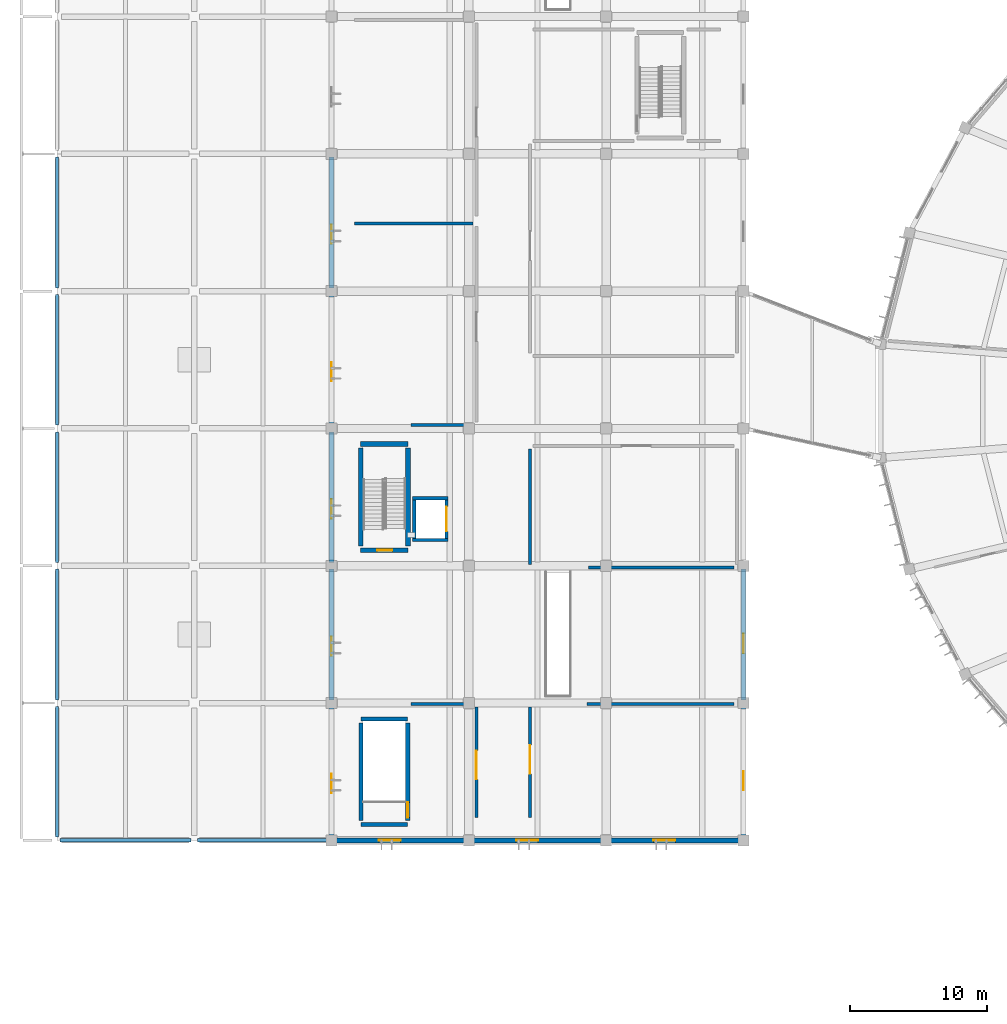
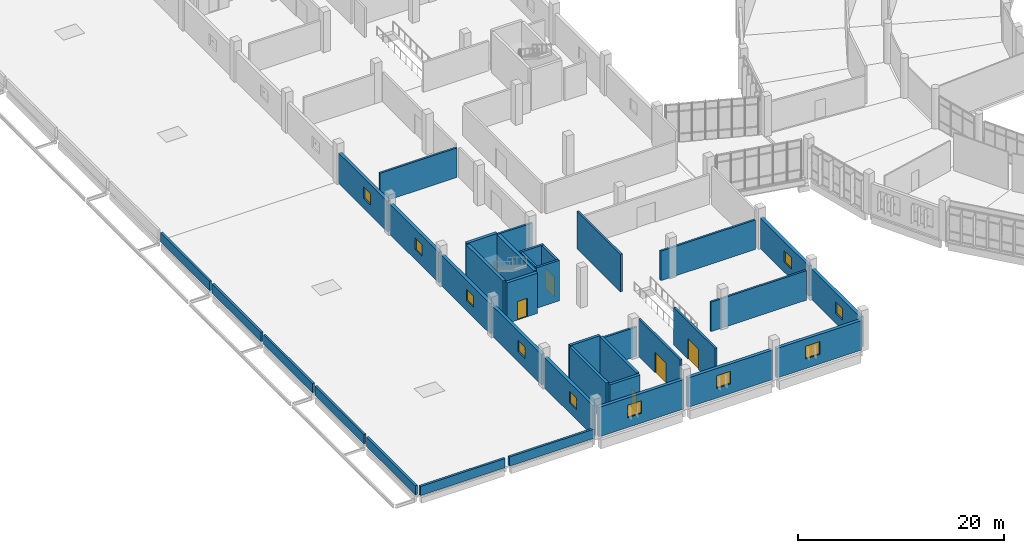
# One storey, part 114 of 179: 37 walls, 10 windows, 5 doors, 15 openings.
"""IFC4 building model written with IfcOpenShell, lengths in metres."""

from ifc_helpers import new_model, si_unit, direction, frame, frame_2d, origin, place, context, subcontext, project, spatial, rectangle, extrude, material, layer, layer_set, type_object, element, fill, save


model = new_model("IFC4")

# Units and contexts
model_context = context("Model", 3, precision=1e-05, world=origin(), true_north=direction((0.0, 1.0)))
body_context = subcontext(model_context, "Body", "Model", "MODEL_VIEW")
ifc_project = project(units=[si_unit("LENGTHUNIT", "METRE"), si_unit("AREAUNIT", "SQUARE_METRE"), si_unit("VOLUMEUNIT", "CUBIC_METRE"), si_unit("PLANEANGLEUNIT", "RADIAN"), si_unit("MASSUNIT", "GRAM", prefix="KILO")], contexts=[model_context])

# Site, building, storey
site_placement = place(None, origin())
site = spatial("IfcSite", under=ifc_project, at=site_placement, CompositionType="ELEMENT")
building_placement = place(site_placement, origin())
building = spatial("IfcBuilding", under=site, at=building_placement, Name="Corvandel Quay Wholesale Market", CompositionType="ELEMENT")
storey_placement = place(building_placement, frame((0.0, 0.0, 6.0)))
storey = spatial("IfcBuildingStorey", under=building, at=storey_placement, Name="L01", CompositionType="ELEMENT", Elevation=6.0)

# Wall, opening, door
ifc_material_1 = material(Name="Concrete C40/50", Category="concrete")
ifc_layer_1 = layer(ifc_material_1, 0.35009765625)
ifc_layer_set_1 = layer_set([ifc_layer_1], Name="Concrete C40/50")
wall_type_1 = type_object("IfcWallType", Name="Core Shear Wall SW01 350", PredefinedType="SHEAR", material=ifc_layer_set_1)
wall_1_placement = place(storey_placement, frame((22.125, 31.125, 0.0), z_axis=(0.0, 0.0, 1.0), x_axis=(1.0, 0.0, 0.0)))
wall_1 = element("IfcWall", 1, at=wall_1_placement, inside=storey, type_object=wall_type_1, Name="Shear Wall IW-0113", PredefinedType="SHEAR", context=body_context, shape_type="SweptSolid", body=[
    extrude(rectangle(XDim=3.449951171875, YDim=0.35009765625, at=frame_2d((1.72509765625, 0.0))), origin(), (0.0, 0.0, 1.0), 4.800048828125),
])
opening_1_placement = place(wall_1_placement, frame((1.199951171875, 0.0, 0.0)))
opening_1 = element("IfcOpeningElement", 2, at=opening_1_placement, cuts=wall_1, Name="Opening L01-D012", PredefinedType="OPENING", context=body_context, shape_type="SweptSolid", body=[
    extrude(rectangle(XDim=1.10009765625, YDim=2.199951171875, at=frame_2d((0.550048828125, 1.10009765625))), frame((0.0, 0.18505859375, 0.0), z_axis=(0.0, -1.0, 0.0), x_axis=(1.0, 0.0, 0.0)), (0.0, 0.0, 1.0), 0.3701171875),
])
ifc_material_2 = material(Name="Galvanised fire-rated hollow steel", Category="steel")
door_type_1 = type_object("IfcDoorType", Name="Exit Stair Fire Door ID01 1100x2200L", OperationType="SINGLE_SWING_LEFT", PredefinedType="DOOR", material=ifc_material_2)
door_1_placement = place(opening_1_placement, origin())
door_1 = element("IfcDoor", 3, at=door_1_placement, inside=storey, type_object=door_type_1, Name="Exit Stair Door SH11-L01", OperationType="SINGLE_SWING_LEFT", OverallHeight=2.199951171875, OverallWidth=1.10009765625, PredefinedType="DOOR", context=body_context, shape_type="SweptSolid", body=[
    extrude(rectangle(XDim=1.10009765625, YDim=2.199951171875, at=frame_2d((0.550048828125, 1.10009765625))), frame((0.0, 0.02490234375, 0.0), z_axis=(0.0, -1.0, 0.0), x_axis=(1.0, 0.0, 0.0)), (0.0, 0.0, 1.0), 0.050048828125),
])
fill(opening_1, door_1)

# Walls
wall_2_placement = place(storey_placement, frame((22.125, 38.875, 0.0), z_axis=(0.0, 0.0, 1.0), x_axis=(1.0, 0.0, 0.0)))
element("IfcWall", 4, at=wall_2_placement, inside=storey, type_object=wall_type_1, Name="Shear Wall IW-0114", PredefinedType="SHEAR", context=body_context, shape_type="SweptSolid", body=[
    extrude(rectangle(XDim=3.449951171875, YDim=0.35009765625, at=frame_2d((1.72509765625, 0.0))), origin(), (0.0, 0.0, 1.0), 4.800048828125),
])
for number, where, z_axis, x_axis, name in (
    (5, (22.125, 31.43994140625, 0.0), (0.0, 0.0, 1.0), (0.0, 1.0, 0.0), "Shear Wall IW-0115"),
    (6, (25.574951171875, 31.43994140625, 0.0), (0.0, 0.0, 1.0), (0.0, 1.0, 0.0), "Shear Wall IW-0116"),
):
    element("IfcWall", number, at=place(storey_placement, frame(where, z_axis=z_axis, x_axis=x_axis)), inside=storey, type_object=wall_type_1, Name=name, PredefinedType="SHEAR", context=body_context, shape_type="SweptSolid", body=[
        extrude(rectangle(XDim=7.1201171875, YDim=0.35009765625, at=frame_2d((3.56005859375, 0.0))), origin(), (0.0, 0.0, 1.0), 4.800048828125),
    ])
ifc_layer_2 = layer(ifc_material_1, 0.25)
ifc_layer_set_2 = layer_set([ifc_layer_2], Name="Concrete C40/50")
wall_type_2 = type_object("IfcWallType", Name="Lift Shaft Shear Wall SW03 250", PredefinedType="SHEAR", material=ifc_layer_set_2)
for number, where, z_axis, x_axis, name in (
    (7, (25.89990234375, 31.875, 0.0), (0.0, 0.0, 1.0), (1.0, 0.0, 0.0), "Shear Wall IW-0301"),
    (8, (25.89990234375, 34.925048828125, 0.0), (0.0, 0.0, 1.0), (1.0, 0.0, 0.0), "Shear Wall IW-0302"),
):
    element("IfcWall", number, at=place(storey_placement, frame(where, z_axis=z_axis, x_axis=x_axis)), inside=storey, type_object=wall_type_2, Name=name, PredefinedType="SHEAR", context=body_context, shape_type="SweptSolid", body=[
        extrude(rectangle(XDim=2.60009765625, YDim=0.25, at=frame_2d((1.300048828125, 0.0))), origin(), (0.0, 0.0, 1.0), 4.800048828125),
    ])
wall_3_placement = place(storey_placement, frame((26.02490234375, 31.989990234375, 0.0), z_axis=(0.0, 0.0, 1.0), x_axis=(0.0, 1.0, 0.0)))
element("IfcWall", 9, at=wall_3_placement, inside=storey, type_object=wall_type_2, Name="Shear Wall IW-0303", PredefinedType="SHEAR", context=body_context, shape_type="SweptSolid", body=[
    extrude(rectangle(XDim=2.820068359375, YDim=0.25, at=frame_2d((1.41015625, 0.0))), origin(), (0.0, 0.0, 1.0), 4.800048828125),
])

# Wall, opening, door
wall_4_placement = place(storey_placement, frame((28.375, 31.989990234375, 0.0), z_axis=(0.0, 0.0, 1.0), x_axis=(0.0, 1.0, 0.0)))
wall_4 = element("IfcWall", 10, at=wall_4_placement, inside=storey, type_object=wall_type_2, Name="Shear Wall IW-0304", PredefinedType="SHEAR", context=body_context, shape_type="SweptSolid", body=[
    extrude(rectangle(XDim=2.820068359375, YDim=0.25, at=frame_2d((1.41015625, 0.0))), origin(), (0.0, 0.0, 1.0), 4.800048828125),
])
opening_2_placement = place(wall_4_placement, frame((0.510009765625, 0.0, 0.0)))
opening_2 = element("IfcOpeningElement", 11, at=opening_2_placement, cuts=wall_4, Name="Opening LD-L01-027", PredefinedType="OPENING", context=body_context, shape_type="SweptSolid", body=[
    extrude(rectangle(XDim=1.800048828125, YDim=2.39990234375, at=frame_2d((0.89990234375, 1.199951171875))), frame((0.0, 0.135009765625, 0.0), z_axis=(0.0, -1.0, 0.0), x_axis=(1.0, 0.0, 0.0)), (0.0, 0.0, 1.0), 0.27001953125),
])
ifc_material_3 = material(Name="Heavy-duty brushed stainless steel", Category="steel")
door_type_2 = type_object("IfcDoorType", Name="Goods Lift Landing Door LD02 1800x2400", OperationType="DOUBLE_DOOR_SLIDING", PredefinedType="DOOR", material=ifc_material_3)
door_2_placement = place(opening_2_placement, origin())
door_2 = element("IfcDoor", 12, at=door_2_placement, inside=storey, type_object=door_type_2, Name="Lift Landing Door LF-V4F1-L01", OperationType="DOUBLE_DOOR_SLIDING", OverallHeight=2.39990234375, OverallWidth=1.800048828125, PredefinedType="DOOR", context=body_context, shape_type="SweptSolid", body=[
    extrude(rectangle(XDim=1.800048828125, YDim=2.39990234375, at=frame_2d((0.89990234375, 1.199951171875))), frame((0.0, 0.02490234375, 0.0), z_axis=(0.0, -1.0, 0.0), x_axis=(1.0, 0.0, 0.0)), (0.0, 0.0, 1.0), 0.050048828125),
])
fill(opening_2, door_2)

# Wall, opening, window
ifc_material_4 = material(Name="Insulated precast concrete C45/55", Category="concrete")
ifc_layer_3 = layer(ifc_material_4, 0.360107421875)
ifc_layer_set_3 = layer_set([ifc_layer_3], Name="Insulated precast concrete C45/55")
wall_type_3 = type_object("IfcWallType", Name="Ripening Gas-Tight Envelope Wall EW04 360", PredefinedType="SOLIDWALL", material=ifc_layer_set_3)
wall_5_placement = place(storey_placement, frame((20.0, 10.239990234375, 0.0), z_axis=(0.0, 0.0, 1.0), x_axis=(0.0, 1.0, 0.0)))
wall_5 = element("IfcWall", 13, at=wall_5_placement, inside=storey, type_object=wall_type_3, Name="Exterior Wall EW-0226", PredefinedType="SOLIDWALL", context=body_context, shape_type="SweptSolid", body=[
    extrude(rectangle(XDim=9.52001953125, YDim=0.360107421875, at=frame_2d((4.760009765625, 0.0))), origin(), (0.0, 0.0, 1.0), 3.610107421875),
])
opening_3_placement = place(wall_5_placement, frame((3.199951171875, 0.0, 1.199951171875)))
opening_3 = element("IfcOpeningElement", 14, at=opening_3_placement, cuts=wall_5, Name="Opening L01-W052", PredefinedType="OPENING", context=body_context, shape_type="SweptSolid", body=[
    extrude(rectangle(XDim=1.39990234375, YDim=1.35009765625, at=frame_2d((0.699951171875, 0.675048828125))), frame((0.0, 0.18994140625, 0.0), z_axis=(0.0, -1.0, 0.0), x_axis=(1.0, 0.0, 0.0)), (0.0, 0.0, 1.0), 0.380126953125),
])
ifc_material_5 = material(Name="Thermally broken bronze anodised aluminium and solar-control low-E double glazing", Category="aluminium")
window_type_1 = type_object("IfcWindowType", Name="Ripening Control Vision Window WN15 1400x1350", PartitioningType="SINGLE_PANEL", PredefinedType="WINDOW", material=ifc_material_5)
window_1_placement = place(opening_3_placement, origin())
window_1 = element("IfcWindow", 15, at=window_1_placement, inside=storey, type_object=window_type_1, Name="Window L01-W052", OverallHeight=1.35009765625, OverallWidth=1.39990234375, PartitioningType="SINGLE_PANEL", PredefinedType="WINDOW", context=body_context, shape_type="SweptSolid", body=[
    extrude(rectangle(XDim=1.39990234375, YDim=1.35009765625, at=frame_2d((0.699951171875, 0.675048828125))), frame((0.0, 0.030029296875, 0.0), z_axis=(0.0, -1.0, 0.0), x_axis=(1.0, 0.0, 0.0)), (0.0, 0.0, 1.0), 0.06005859375),
])
fill(opening_3, window_1)

wall_6_placement = place(storey_placement, frame((50.0, 10.239990234375, 0.0), z_axis=(0.0, 0.0, 1.0), x_axis=(0.0, 1.0, 0.0)))
wall_6 = element("IfcWall", 16, at=wall_6_placement, inside=storey, type_object=wall_type_3, Name="Exterior Wall EW-0230", PredefinedType="SOLIDWALL", context=body_context, shape_type="SweptSolid", body=[
    extrude(rectangle(XDim=9.52001953125, YDim=0.360107421875, at=frame_2d((4.760009765625, 0.0))), origin(), (0.0, 0.0, 1.0), 3.610107421875),
])
opening_4_placement = place(wall_6_placement, frame((3.39990234375, 0.0, 1.199951171875)))
opening_4 = element("IfcOpeningElement", 17, at=opening_4_placement, cuts=wall_6, Name="Opening L01-W053", PredefinedType="OPENING", context=body_context, shape_type="SweptSolid", body=[
    extrude(rectangle(XDim=1.39990234375, YDim=1.35009765625, at=frame_2d((0.699951171875, 0.675048828125))), frame((0.0, 0.18994140625, 0.0), z_axis=(0.0, -1.0, 0.0), x_axis=(1.0, 0.0, 0.0)), (0.0, 0.0, 1.0), 0.380126953125),
])
window_2_placement = place(opening_4_placement, origin())
window_2 = element("IfcWindow", 18, at=window_2_placement, inside=storey, type_object=window_type_1, Name="Window L01-W053", OverallHeight=1.35009765625, OverallWidth=1.39990234375, PartitioningType="SINGLE_PANEL", PredefinedType="WINDOW", context=body_context, shape_type="SweptSolid", body=[
    extrude(rectangle(XDim=1.39990234375, YDim=1.35009765625, at=frame_2d((0.699951171875, 0.675048828125))), frame((0.0, 0.030029296875, 0.0), z_axis=(0.0, -1.0, 0.0), x_axis=(1.0, 0.0, 0.0)), (0.0, 0.0, 1.0), 0.06005859375),
])
fill(opening_4, window_2)

wall_7_placement = place(storey_placement, frame((20.0, 20.239990234375, 0.0), z_axis=(0.0, 0.0, 1.0), x_axis=(0.0, 1.0, 0.0)))
wall_7 = element("IfcWall", 19, at=wall_7_placement, inside=storey, type_object=wall_type_3, Name="Exterior Wall EW-0233", PredefinedType="SOLIDWALL", context=body_context, shape_type="SweptSolid", body=[
    extrude(rectangle(XDim=9.52001953125, YDim=0.360107421875, at=frame_2d((4.760009765625, 0.0))), origin(), (0.0, 0.0, 1.0), 3.610107421875),
])
opening_5_placement = place(wall_7_placement, frame((3.199951171875, 0.0, 1.199951171875)))
opening_5 = element("IfcOpeningElement", 20, at=opening_5_placement, cuts=wall_7, Name="Opening L01-W054", PredefinedType="OPENING", context=body_context, shape_type="SweptSolid", body=[
    extrude(rectangle(XDim=1.39990234375, YDim=1.35009765625, at=frame_2d((0.699951171875, 0.675048828125))), frame((0.0, 0.18994140625, 0.0), z_axis=(0.0, -1.0, 0.0), x_axis=(1.0, 0.0, 0.0)), (0.0, 0.0, 1.0), 0.380126953125),
])
window_3_placement = place(opening_5_placement, origin())
window_3 = element("IfcWindow", 21, at=window_3_placement, inside=storey, type_object=window_type_1, Name="Window L01-W054", OverallHeight=1.35009765625, OverallWidth=1.39990234375, PartitioningType="SINGLE_PANEL", PredefinedType="WINDOW", context=body_context, shape_type="SweptSolid", body=[
    extrude(rectangle(XDim=1.39990234375, YDim=1.35009765625, at=frame_2d((0.699951171875, 0.675048828125))), frame((0.0, 0.030029296875, 0.0), z_axis=(0.0, -1.0, 0.0), x_axis=(1.0, 0.0, 0.0)), (0.0, 0.0, 1.0), 0.06005859375),
])
fill(opening_5, window_3)

wall_8_placement = place(storey_placement, frame((50.0, 20.239990234375, 0.0), z_axis=(0.0, 0.0, 1.0), x_axis=(0.0, 1.0, 0.0)))
wall_8 = element("IfcWall", 22, at=wall_8_placement, inside=storey, type_object=wall_type_3, Name="Exterior Wall EW-0237", PredefinedType="SOLIDWALL", context=body_context, shape_type="SweptSolid", body=[
    extrude(rectangle(XDim=9.52001953125, YDim=0.360107421875, at=frame_2d((4.760009765625, 0.0))), origin(), (0.0, 0.0, 1.0), 3.610107421875),
])
opening_6_placement = place(wall_8_placement, frame((3.39990234375, 0.0, 1.199951171875)))
opening_6 = element("IfcOpeningElement", 23, at=opening_6_placement, cuts=wall_8, Name="Opening L01-W055", PredefinedType="OPENING", context=body_context, shape_type="SweptSolid", body=[
    extrude(rectangle(XDim=1.39990234375, YDim=1.35009765625, at=frame_2d((0.699951171875, 0.675048828125))), frame((0.0, 0.18994140625, 0.0), z_axis=(0.0, -1.0, 0.0), x_axis=(1.0, 0.0, 0.0)), (0.0, 0.0, 1.0), 0.380126953125),
])
window_4_placement = place(opening_6_placement, origin())
window_4 = element("IfcWindow", 24, at=window_4_placement, inside=storey, type_object=window_type_1, Name="Window L01-W055", OverallHeight=1.35009765625, OverallWidth=1.39990234375, PartitioningType="SINGLE_PANEL", PredefinedType="WINDOW", context=body_context, shape_type="SweptSolid", body=[
    extrude(rectangle(XDim=1.39990234375, YDim=1.35009765625, at=frame_2d((0.699951171875, 0.675048828125))), frame((0.0, 0.030029296875, 0.0), z_axis=(0.0, -1.0, 0.0), x_axis=(1.0, 0.0, 0.0)), (0.0, 0.0, 1.0), 0.06005859375),
])
fill(opening_6, window_4)

wall_9_placement = place(storey_placement, frame((20.0, 30.239990234375, 0.0), z_axis=(0.0, 0.0, 1.0), x_axis=(0.0, 1.0, 0.0)))
wall_9 = element("IfcWall", 25, at=wall_9_placement, inside=storey, type_object=wall_type_3, Name="Exterior Wall EW-0240", PredefinedType="SOLIDWALL", context=body_context, shape_type="SweptSolid", body=[
    extrude(rectangle(XDim=9.52001953125, YDim=0.360107421875, at=frame_2d((4.760009765625, 0.0))), origin(), (0.0, 0.0, 1.0), 3.610107421875),
])
opening_7_placement = place(wall_9_placement, frame((3.199951171875, 0.0, 1.199951171875)))
opening_7 = element("IfcOpeningElement", 26, at=opening_7_placement, cuts=wall_9, Name="Opening L01-W056", PredefinedType="OPENING", context=body_context, shape_type="SweptSolid", body=[
    extrude(rectangle(XDim=1.39990234375, YDim=1.35009765625, at=frame_2d((0.699951171875, 0.675048828125))), frame((0.0, 0.18994140625, 0.0), z_axis=(0.0, -1.0, 0.0), x_axis=(1.0, 0.0, 0.0)), (0.0, 0.0, 1.0), 0.380126953125),
])
window_5_placement = place(opening_7_placement, origin())
window_5 = element("IfcWindow", 27, at=window_5_placement, inside=storey, type_object=window_type_1, Name="Window L01-W056", OverallHeight=1.35009765625, OverallWidth=1.39990234375, PartitioningType="SINGLE_PANEL", PredefinedType="WINDOW", context=body_context, shape_type="SweptSolid", body=[
    extrude(rectangle(XDim=1.39990234375, YDim=1.35009765625, at=frame_2d((0.699951171875, 0.675048828125))), frame((0.0, 0.030029296875, 0.0), z_axis=(0.0, -1.0, 0.0), x_axis=(1.0, 0.0, 0.0)), (0.0, 0.0, 1.0), 0.06005859375),
])
fill(opening_7, window_5)

wall_10_placement = place(storey_placement, frame((20.0, 40.239990234375, 0.0), z_axis=(0.0, 0.0, 1.0), x_axis=(0.0, 1.0, 0.0)))
wall_10 = element("IfcWall", 28, at=wall_10_placement, inside=storey, type_object=wall_type_3, Name="Exterior Wall EW-0244", PredefinedType="SOLIDWALL", context=body_context, shape_type="SweptSolid", body=[
    extrude(rectangle(XDim=9.52001953125, YDim=0.360107421875, at=frame_2d((4.760009765625, 0.0))), origin(), (0.0, 0.0, 1.0), 3.610107421875),
])
opening_8_placement = place(wall_10_placement, frame((3.199951171875, 0.0, 1.199951171875)))
opening_8 = element("IfcOpeningElement", 29, at=opening_8_placement, cuts=wall_10, Name="Opening L01-W057", PredefinedType="OPENING", context=body_context, shape_type="SweptSolid", body=[
    extrude(rectangle(XDim=1.39990234375, YDim=1.35009765625, at=frame_2d((0.699951171875, 0.675048828125))), frame((0.0, 0.18994140625, 0.0), z_axis=(0.0, -1.0, 0.0), x_axis=(1.0, 0.0, 0.0)), (0.0, 0.0, 1.0), 0.380126953125),
])
window_6_placement = place(opening_8_placement, origin())
window_6 = element("IfcWindow", 30, at=window_6_placement, inside=storey, type_object=window_type_1, Name="Window L01-W057", OverallHeight=1.35009765625, OverallWidth=1.39990234375, PartitioningType="SINGLE_PANEL", PredefinedType="WINDOW", context=body_context, shape_type="SweptSolid", body=[
    extrude(rectangle(XDim=1.39990234375, YDim=1.35009765625, at=frame_2d((0.699951171875, 0.675048828125))), frame((0.0, 0.030029296875, 0.0), z_axis=(0.0, -1.0, 0.0), x_axis=(1.0, 0.0, 0.0)), (0.0, 0.0, 1.0), 0.06005859375),
])
fill(opening_8, window_6)

wall_11_placement = place(storey_placement, frame((20.0, 50.239990234375, 0.0), z_axis=(0.0, 0.0, 1.0), x_axis=(0.0, 1.0, 0.0)))
wall_11 = element("IfcWall", 31, at=wall_11_placement, inside=storey, type_object=wall_type_3, Name="Exterior Wall EW-0248", PredefinedType="SOLIDWALL", context=body_context, shape_type="SweptSolid", body=[
    extrude(rectangle(XDim=9.52001953125, YDim=0.360107421875, at=frame_2d((4.760009765625, 0.0))), origin(), (0.0, 0.0, 1.0), 3.610107421875),
])
opening_9_placement = place(wall_11_placement, frame((3.199951171875, 0.0, 1.199951171875)))
opening_9 = element("IfcOpeningElement", 32, at=opening_9_placement, cuts=wall_11, Name="Opening L01-W058", PredefinedType="OPENING", context=body_context, shape_type="SweptSolid", body=[
    extrude(rectangle(XDim=1.39990234375, YDim=1.35009765625, at=frame_2d((0.699951171875, 0.675048828125))), frame((0.0, 0.18994140625, 0.0), z_axis=(0.0, -1.0, 0.0), x_axis=(1.0, 0.0, 0.0)), (0.0, 0.0, 1.0), 0.380126953125),
])
window_7_placement = place(opening_9_placement, origin())
window_7 = element("IfcWindow", 33, at=window_7_placement, inside=storey, type_object=window_type_1, Name="Window L01-W058", OverallHeight=1.35009765625, OverallWidth=1.39990234375, PartitioningType="SINGLE_PANEL", PredefinedType="WINDOW", context=body_context, shape_type="SweptSolid", body=[
    extrude(rectangle(XDim=1.39990234375, YDim=1.35009765625, at=frame_2d((0.699951171875, 0.675048828125))), frame((0.0, 0.030029296875, 0.0), z_axis=(0.0, -1.0, 0.0), x_axis=(1.0, 0.0, 0.0)), (0.0, 0.0, 1.0), 0.06005859375),
])
fill(opening_9, window_7)

wall_12_placement = place(storey_placement, frame((20.239990234375, 10.0, 0.0), z_axis=(0.0, 0.0, 1.0), x_axis=(1.0, 0.0, 0.0)))
wall_12 = element("IfcWall", 34, at=wall_12_placement, inside=storey, type_object=wall_type_3, Name="Exterior Wall EW-0307", PredefinedType="SOLIDWALL", context=body_context, shape_type="SweptSolid", body=[
    extrude(rectangle(XDim=9.52001953125, YDim=0.360107421875, at=frame_2d((4.760009765625, 0.0))), origin(), (0.0, 0.0, 1.0), 3.510009765625),
])
opening_10_placement = place(wall_12_placement, frame((3.199951171875, 0.0, 1.14990234375)))
opening_10 = element("IfcOpeningElement", 35, at=opening_10_placement, cuts=wall_12, Name="Opening L01-W076", PredefinedType="OPENING", context=body_context, shape_type="SweptSolid", body=[
    extrude(rectangle(XDim=1.60009765625, YDim=1.5, at=frame_2d((0.800048828125, 0.75))), frame((0.0, 0.18994140625, 0.0), z_axis=(0.0, -1.0, 0.0), x_axis=(1.0, 0.0, 0.0)), (0.0, 0.0, 1.0), 0.380126953125),
])
window_type_2 = type_object("IfcWindowType", Name="Cold Chain Lab Window WN14 1600x1500", PartitioningType="SINGLE_PANEL", PredefinedType="WINDOW", material=ifc_material_5)
window_8_placement = place(opening_10_placement, origin())
window_8 = element("IfcWindow", 36, at=window_8_placement, inside=storey, type_object=window_type_2, Name="Window L01-W076", OverallHeight=1.5, OverallWidth=1.60009765625, PartitioningType="SINGLE_PANEL", PredefinedType="WINDOW", context=body_context, shape_type="SweptSolid", body=[
    extrude(rectangle(XDim=1.60009765625, YDim=1.5, at=frame_2d((0.800048828125, 0.75))), frame((0.0, 0.030029296875, 0.0), z_axis=(0.0, -1.0, 0.0), x_axis=(1.0, 0.0, 0.0)), (0.0, 0.0, 1.0), 0.06005859375),
])
fill(opening_10, window_8)

wall_13_placement = place(storey_placement, frame((30.239990234375, 10.0, 0.0), z_axis=(0.0, 0.0, 1.0), x_axis=(1.0, 0.0, 0.0)))
wall_13 = element("IfcWall", 37, at=wall_13_placement, inside=storey, type_object=wall_type_3, Name="Exterior Wall EW-0315", PredefinedType="SOLIDWALL", context=body_context, shape_type="SweptSolid", body=[
    extrude(rectangle(XDim=9.52001953125, YDim=0.360107421875, at=frame_2d((4.760009765625, 0.0))), origin(), (0.0, 0.0, 1.0), 3.510009765625),
])
opening_11_placement = place(wall_13_placement, frame((3.199951171875, 0.0, 1.14990234375)))
opening_11 = element("IfcOpeningElement", 38, at=opening_11_placement, cuts=wall_13, Name="Opening L01-W078", PredefinedType="OPENING", context=body_context, shape_type="SweptSolid", body=[
    extrude(rectangle(XDim=1.60009765625, YDim=1.5, at=frame_2d((0.800048828125, 0.75))), frame((0.0, 0.18994140625, 0.0), z_axis=(0.0, -1.0, 0.0), x_axis=(1.0, 0.0, 0.0)), (0.0, 0.0, 1.0), 0.380126953125),
])
window_9_placement = place(opening_11_placement, origin())
window_9 = element("IfcWindow", 39, at=window_9_placement, inside=storey, type_object=window_type_2, Name="Window L01-W078", OverallHeight=1.5, OverallWidth=1.60009765625, PartitioningType="SINGLE_PANEL", PredefinedType="WINDOW", context=body_context, shape_type="SweptSolid", body=[
    extrude(rectangle(XDim=1.60009765625, YDim=1.5, at=frame_2d((0.800048828125, 0.75))), frame((0.0, 0.030029296875, 0.0), z_axis=(0.0, -1.0, 0.0), x_axis=(1.0, 0.0, 0.0)), (0.0, 0.0, 1.0), 0.06005859375),
])
fill(opening_11, window_9)

wall_14_placement = place(storey_placement, frame((40.239990234375, 10.0, 0.0), z_axis=(0.0, 0.0, 1.0), x_axis=(1.0, 0.0, 0.0)))
wall_14 = element("IfcWall", 40, at=wall_14_placement, inside=storey, type_object=wall_type_3, Name="Exterior Wall EW-0323", PredefinedType="SOLIDWALL", context=body_context, shape_type="SweptSolid", body=[
    extrude(rectangle(XDim=9.52001953125, YDim=0.360107421875, at=frame_2d((4.760009765625, 0.0))), origin(), (0.0, 0.0, 1.0), 3.510009765625),
])
opening_12_placement = place(wall_14_placement, frame((3.199951171875, 0.0, 1.14990234375)))
opening_12 = element("IfcOpeningElement", 41, at=opening_12_placement, cuts=wall_14, Name="Opening L01-W080", PredefinedType="OPENING", context=body_context, shape_type="SweptSolid", body=[
    extrude(rectangle(XDim=1.60009765625, YDim=1.5, at=frame_2d((0.800048828125, 0.75))), frame((0.0, 0.18994140625, 0.0), z_axis=(0.0, -1.0, 0.0), x_axis=(1.0, 0.0, 0.0)), (0.0, 0.0, 1.0), 0.380126953125),
])
window_10_placement = place(opening_12_placement, origin())
window_10 = element("IfcWindow", 42, at=window_10_placement, inside=storey, type_object=window_type_2, Name="Window L01-W080", OverallHeight=1.5, OverallWidth=1.60009765625, PartitioningType="SINGLE_PANEL", PredefinedType="WINDOW", context=body_context, shape_type="SweptSolid", body=[
    extrude(rectangle(XDim=1.60009765625, YDim=1.5, at=frame_2d((0.800048828125, 0.75))), frame((0.0, 0.030029296875, 0.0), z_axis=(0.0, -1.0, 0.0), x_axis=(1.0, 0.0, 0.0)), (0.0, 0.0, 1.0), 0.06005859375),
])
fill(opening_12, window_10)

# Wall
ifc_material_6 = material(Name="Gas-tight stainless insulated panel")
ifc_layer_4 = layer(ifc_material_6, 0.219970703125)
ifc_layer_set_4 = layer_set([ifc_layer_4], Name="Gas-tight stainless insulated panel")
wall_type_4 = type_object("IfcWallType", Name="Ripening Gas-Tight Partition PT04 220", PredefinedType="PARTITIONING", material=ifc_layer_set_4)
wall_15_placement = place(storey_placement, frame((25.77001953125, 19.93994140625, 0.0), z_axis=(0.0, 0.0, 1.0), x_axis=(1.0, 0.0, 0.0)))
element("IfcWall", 43, at=wall_15_placement, inside=storey, type_object=wall_type_4, Name="Interior Wall IW-0795", PredefinedType="PARTITIONING", context=body_context, shape_type="SweptSolid", body=[
    extrude(rectangle(XDim=4.550048828125, YDim=0.219970703125, at=frame_2d((2.27490234375, 0.0))), origin(), (0.0, 0.0, 1.0), 3.510009765625),
])

# Wall, opening, door
wall_16_placement = place(storey_placement, frame((30.5400390625, 19.719970703125, 0.0), z_axis=(0.0, 0.0, 1.0), x_axis=(0.0, -1.0, 0.0)))
wall_16 = element("IfcWall", 44, at=wall_16_placement, inside=storey, type_object=wall_type_4, Name="Interior Wall IW-0796", PredefinedType="PARTITIONING", context=body_context, shape_type="SweptSolid", body=[
    extrude(rectangle(XDim=8.050048828125, YDim=0.219970703125, at=frame_2d((4.02490234375, 0.0))), origin(), (0.0, 0.0, 1.0), 4.4599609375),
])
opening_13_placement = place(wall_16_placement, frame((3.175048828125, 0.0, 0.0)))
opening_13 = element("IfcOpeningElement", 45, at=opening_13_placement, cuts=wall_16, Name="Opening L01-D052", PredefinedType="OPENING", context=body_context, shape_type="SweptSolid", body=[
    extrude(rectangle(XDim=2.10009765625, YDim=2.39990234375, at=frame_2d((1.050048828125, 1.199951171875))), frame((0.0, 0.119873046875, 0.0), z_axis=(0.0, -1.0, 0.0), x_axis=(1.0, 0.0, 0.0)), (0.0, 0.0, 1.0), 0.239990234375),
])
ifc_material_7 = material(Name="Gas-tight stainless insulated leaf")
door_type_3 = type_object("IfcDoorType", Name="Ripening Gas-Tight Door ID07 2100x2400", OperationType="DOUBLE_DOOR_SLIDING", PredefinedType="DOOR", material=ifc_material_7)
door_3_placement = place(opening_13_placement, origin())
door_3 = element("IfcDoor", 46, at=door_3_placement, inside=storey, type_object=door_type_3, Name="Pressurized Fruit Ripening Room 01 Door", OperationType="DOUBLE_DOOR_SLIDING", OverallHeight=2.39990234375, OverallWidth=2.10009765625, PredefinedType="DOOR", context=body_context, shape_type="SweptSolid", body=[
    extrude(rectangle(XDim=2.10009765625, YDim=2.39990234375, at=frame_2d((1.050048828125, 1.199951171875))), frame((0.0, 0.02490234375, 0.0), z_axis=(0.0, -1.0, 0.0), x_axis=(1.0, 0.0, 0.0)), (0.0, 0.0, 1.0), 0.050048828125),
])
fill(opening_13, door_3)

# Walls
wall_17_placement = place(storey_placement, frame((21.669921875, 54.93994140625, 0.0), z_axis=(0.0, 0.0, 1.0), x_axis=(1.0, 0.0, 0.0)))
element("IfcWall", 47, at=wall_17_placement, inside=storey, type_object=wall_type_4, Name="Interior Wall IW-0797", PredefinedType="PARTITIONING", context=body_context, shape_type="SweptSolid", body=[
    extrude(rectangle(XDim=8.650146484375, YDim=0.219970703125, at=frame_2d((4.3251953125, 0.0))), origin(), (0.0, 0.0, 1.0), 3.510009765625),
])
wall_18_placement = place(storey_placement, frame((30.320068359375, 40.260009765625, 0.0), z_axis=(0.0, 0.0, 1.0), x_axis=(-1.0, 0.0, 0.0)))
element("IfcWall", 48, at=wall_18_placement, inside=storey, type_object=wall_type_4, Name="Interior Wall IW-0799", PredefinedType="PARTITIONING", context=body_context, shape_type="SweptSolid", body=[
    extrude(rectangle(XDim=4.525146484375, YDim=0.219970703125, at=frame_2d((2.2626953125, 0.0))), origin(), (0.0, 0.0, 1.0), 3.510009765625),
])

# Wall, opening, door
wall_19_placement = place(storey_placement, frame((34.4599609375, 11.669921875, 0.0), z_axis=(0.0, 0.0, 1.0), x_axis=(0.0, 1.0, 0.0)))
wall_19 = element("IfcWall", 49, at=wall_19_placement, inside=storey, type_object=wall_type_4, Name="Interior Wall IW-0809", PredefinedType="PARTITIONING", context=body_context, shape_type="SweptSolid", body=[
    extrude(rectangle(XDim=8.050048828125, YDim=0.219970703125, at=frame_2d((4.02490234375, 0.0))), origin(), (0.0, 0.0, 1.0), 4.4599609375),
])
opening_14_placement = place(wall_19_placement, frame((3.175048828125, 0.0, 0.0)))
opening_14 = element("IfcOpeningElement", 50, at=opening_14_placement, cuts=wall_19, Name="Opening L01-D058", PredefinedType="OPENING", context=body_context, shape_type="SweptSolid", body=[
    extrude(rectangle(XDim=2.10009765625, YDim=2.39990234375, at=frame_2d((1.050048828125, 1.199951171875))), frame((0.0, 0.119873046875, 0.0), z_axis=(0.0, -1.0, 0.0), x_axis=(1.0, 0.0, 0.0)), (0.0, 0.0, 1.0), 0.239990234375),
])
door_4_placement = place(opening_14_placement, origin())
door_4 = element("IfcDoor", 51, at=door_4_placement, inside=storey, type_object=door_type_3, Name="Pressurized Fruit Ripening Room 07 Door", OperationType="DOUBLE_DOOR_SLIDING", OverallHeight=2.39990234375, OverallWidth=2.10009765625, PredefinedType="DOOR", context=body_context, shape_type="SweptSolid", body=[
    extrude(rectangle(XDim=2.10009765625, YDim=2.39990234375, at=frame_2d((1.050048828125, 1.199951171875))), frame((0.0, 0.02490234375, 0.0), z_axis=(0.0, -1.0, 0.0), x_axis=(1.0, 0.0, 0.0)), (0.0, 0.0, 1.0), 0.050048828125),
])
fill(opening_14, door_4)

# Walls
wall_20_placement = place(storey_placement, frame((38.601806640625, 19.93994140625, 0.0), z_axis=(0.0, 0.0, 1.0), x_axis=(1.0, 0.0, 0.0)))
element("IfcWall", 52, at=wall_20_placement, inside=storey, type_object=wall_type_4, Name="Interior Wall IW-0810", PredefinedType="PARTITIONING", context=body_context, shape_type="SweptSolid", body=[
    extrude(rectangle(XDim=10.71826171875, YDim=0.219970703125, at=frame_2d((5.359130859375, 0.0))), origin(), (0.0, 0.0, 1.0), 3.510009765625),
])
wall_21_placement = place(storey_placement, frame((34.4599609375, 30.080078125, 0.0), z_axis=(0.0, 0.0, 1.0), x_axis=(0.0, 1.0, 0.0)))
element("IfcWall", 53, at=wall_21_placement, inside=storey, type_object=wall_type_4, Name="Interior Wall IW-0811", PredefinedType="PARTITIONING", context=body_context, shape_type="SweptSolid", body=[
    extrude(rectangle(XDim=8.43994140625, YDim=0.219970703125, at=frame_2d((4.219970703125, 0.0))), origin(), (0.0, 0.0, 1.0), 4.4599609375),
])
wall_22_placement = place(storey_placement, frame((49.320068359375, 29.860107421875, 0.0), z_axis=(0.0, 0.0, 1.0), x_axis=(-1.0, 0.0, 0.0)))
element("IfcWall", 54, at=wall_22_placement, inside=storey, type_object=wall_type_4, Name="Interior Wall IW-0814", PredefinedType="PARTITIONING", context=body_context, shape_type="SweptSolid", body=[
    extrude(rectangle(XDim=10.613037109375, YDim=0.219970703125, at=frame_2d((5.306640625, 0.0))), origin(), (0.0, 0.0, 1.0), 3.510009765625),
])
ifc_material_8 = material(Name="White precast concrete C45/55", Category="concrete")
ifc_layer_5 = layer(ifc_material_8, 0.239990234375)
ifc_layer_set_5 = layer_set([ifc_layer_5], Name="White precast concrete C45/55")
wall_type_5 = type_object("IfcWallType", Name="Roof Precast Parapet Wall PP01 240", PredefinedType="PARAPET", material=ifc_layer_set_5)
for number, where, z_axis, x_axis, name in (
    (55, (0.0, 10.239990234375, 0.0), (0.0, 0.0, 1.0), (0.0, 1.0, 0.0), "Exterior Wall EW-0199"),
    (56, (0.0, 20.239990234375, 0.0), (0.0, 0.0, 1.0), (0.0, 1.0, 0.0), "Exterior Wall EW-0201"),
    (57, (0.0, 30.239990234375, 0.0), (0.0, 0.0, 1.0), (0.0, 1.0, 0.0), "Exterior Wall EW-0203"),
    (58, (0.0, 40.239990234375, 0.0), (0.0, 0.0, 1.0), (0.0, 1.0, 0.0), "Exterior Wall EW-0205"),
    (59, (0.0, 50.239990234375, 0.0), (0.0, 0.0, 1.0), (0.0, 1.0, 0.0), "Exterior Wall EW-0207"),
    (60, (0.239990234375, 10.0, 0.0), (0.0, 0.0, 1.0), (1.0, 0.0, 0.0), "Exterior Wall EW-0219"),
    (61, (10.239990234375, 10.0, 0.0), (0.0, 0.0, 1.0), (1.0, 0.0, 0.0), "Exterior Wall EW-0221"),
):
    element("IfcWall", number, at=place(storey_placement, frame(where, z_axis=z_axis, x_axis=x_axis)), inside=storey, type_object=wall_type_5, Name=name, PredefinedType="PARAPET", context=body_context, shape_type="SweptSolid", body=[
        extrude(rectangle(XDim=9.52001953125, YDim=0.239990234375, at=frame_2d((4.760009765625, 0.0))), origin(), (0.0, 0.0, 1.0), 1.10009765625),
    ])
ifc_layer_6 = layer(ifc_material_1, 0.300048828125)
ifc_layer_set_6 = layer_set([ifc_layer_6], Name="Concrete C40/50")
wall_type_6 = type_object("IfcWallType", Name="Stair Shaft Shear Wall SW02 300", PredefinedType="SHEAR", material=ifc_layer_set_6)
for number, where, z_axis, x_axis, name in (
    (62, (22.14990234375, 11.14990234375, 0.0), (0.0, 0.0, 1.0), (1.0, 0.0, 0.0), "Shear Wall IW-0149"),
    (63, (22.14990234375, 18.85009765625, 0.0), (0.0, 0.0, 1.0), (1.0, 0.0, 0.0), "Shear Wall IW-0150"),
):
    element("IfcWall", number, at=place(storey_placement, frame(where, z_axis=z_axis, x_axis=x_axis)), inside=storey, type_object=wall_type_6, Name=name, PredefinedType="SHEAR", context=body_context, shape_type="SweptSolid", body=[
        extrude(rectangle(XDim=3.400146484375, YDim=0.300048828125, at=frame_2d((1.7001953125, 0.0))), origin(), (0.0, 0.0, 1.0), 4.800048828125),
    ])
wall_23_placement = place(storey_placement, frame((22.14990234375, 11.43994140625, 0.0), z_axis=(0.0, 0.0, 1.0), x_axis=(0.0, 1.0, 0.0)))
element("IfcWall", 64, at=wall_23_placement, inside=storey, type_object=wall_type_6, Name="Shear Wall IW-0151", PredefinedType="SHEAR", context=body_context, shape_type="SweptSolid", body=[
    extrude(rectangle(XDim=7.1201171875, YDim=0.300048828125, at=frame_2d((3.56005859375, 0.0))), origin(), (0.0, 0.0, 1.0), 4.800048828125),
])

# Wall, opening, door
wall_24_placement = place(storey_placement, frame((25.550048828125, 11.43994140625, 0.0), z_axis=(0.0, 0.0, 1.0), x_axis=(0.0, 1.0, 0.0)))
wall_24 = element("IfcWall", 65, at=wall_24_placement, inside=storey, type_object=wall_type_6, Name="Shear Wall IW-0152", PredefinedType="SHEAR", context=body_context, shape_type="SweptSolid", body=[
    extrude(rectangle(XDim=7.1201171875, YDim=0.300048828125, at=frame_2d((3.56005859375, 0.0))), origin(), (0.0, 0.0, 1.0), 4.800048828125),
])
opening_15_placement = place(wall_24_placement, frame((0.219970703125, 0.0, 0.0)))
opening_15 = element("IfcOpeningElement", 66, at=opening_15_placement, cuts=wall_24, Name="Opening L01-D015", PredefinedType="OPENING", context=body_context, shape_type="SweptSolid", body=[
    extrude(rectangle(XDim=1.10009765625, YDim=2.199951171875, at=frame_2d((0.550048828125, 1.10009765625))), frame((0.0, 0.159912109375, 0.0), z_axis=(0.0, -1.0, 0.0), x_axis=(1.0, 0.0, 0.0)), (0.0, 0.0, 1.0), 0.320068359375),
])
door_type_4 = type_object("IfcDoorType", Name="Exit Stair Fire Door ID02 1100x2200R", OperationType="SINGLE_SWING_RIGHT", PredefinedType="DOOR", material=ifc_material_2)
door_5_placement = place(opening_15_placement, origin())
door_5 = element("IfcDoor", 67, at=door_5_placement, inside=storey, type_object=door_type_4, Name="Exit Stair Door SH14-L01", OperationType="SINGLE_SWING_RIGHT", OverallHeight=2.199951171875, OverallWidth=1.10009765625, PredefinedType="DOOR", context=body_context, shape_type="SweptSolid", body=[
    extrude(rectangle(XDim=1.10009765625, YDim=2.199951171875, at=frame_2d((0.550048828125, 1.10009765625))), frame((0.0, 0.02490234375, 0.0), z_axis=(0.0, -1.0, 0.0), x_axis=(1.0, 0.0, 0.0)), (0.0, 0.0, 1.0), 0.050048828125),
])
fill(opening_15, door_5)

save(model, "model.ifc")
